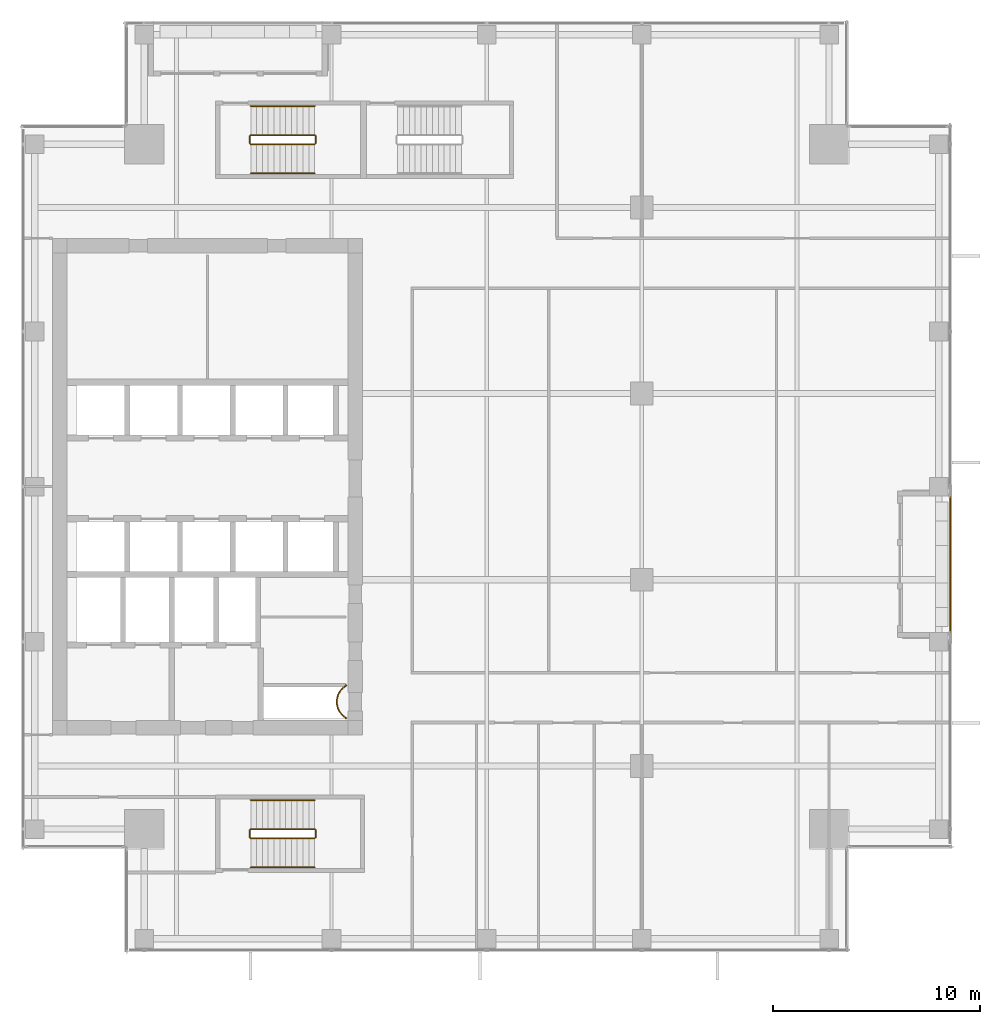
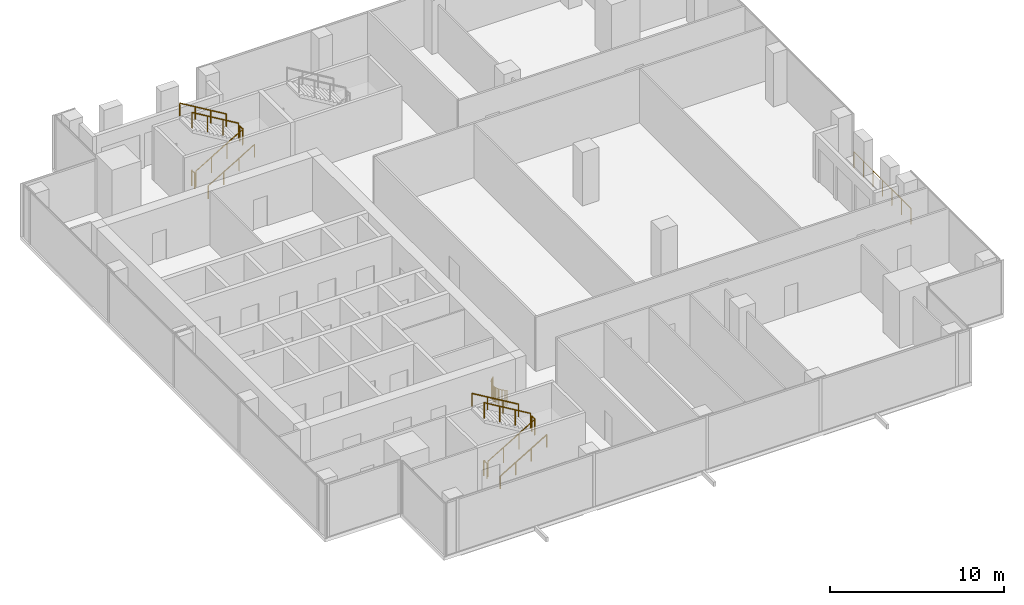
# One storey, part 34 of 36: 14 railings.
"""IFC4 building model written with IfcOpenShell, lengths in metres."""

import ifcopenshell
import ifcopenshell.guid

model = None  # the IFC model being written
_history = None  # IfcOwnerHistory: only IFC2X3 demands one
_inside = {}  # id of a spatial element -> (the spatial element, [elements in it])
_under = {}  # id of a project, library or spatial element -> (it, [spatial elements below it])
_declared = {}  # id of a project -> (the project, [libraries it declares])
_typed = {}  # id of a type object -> (the type object, [elements of that type])
_made_of = {}  # id of a material, layer set ... -> (it, [elements and type objects made of it])


def new_model(schema):
    """Start an empty IFC model of exactly this schema.

    Asked for "IFC4X3", IfcOpenShell would pick the latest addendum, in which some entities
    have other attributes; the version numbers below select the first issue.
    IFC2X3 requires an IfcOwnerHistory on every rooted entity: one is made here for all.
    """
    global model, _history
    if schema == "IFC4X3":
        model = ifcopenshell.file(schema_version=(4, 3, 0, 0))
    else:
        model = ifcopenshell.file(schema=schema)
    _inside.clear()
    _under.clear()
    _declared.clear()
    _typed.clear()
    _made_of.clear()
    _history = None
    if model.schema == "IFC2X3":
        org = make("IfcOrganization", Name="unknown")
        user = make(
            "IfcPersonAndOrganization",
            ThePerson=make("IfcPerson", FamilyName="unknown"),
            TheOrganization=org,
        )
        app = make(
            "IfcApplication",
            ApplicationDeveloper=org,
            Version="unknown",
            ApplicationFullName="unknown",
            ApplicationIdentifier="unknown",
        )
        _history = make(
            "IfcOwnerHistory",
            OwningUser=user,
            OwningApplication=app,
            ChangeAction="ADDED",
            CreationDate=0,
        )
    return model


def make(cls, **values):
    """One entity of the class cls with the attributes given. An attribute that is None is left unset."""
    return model.create_entity(
        cls, **{name: value for name, value in values.items() if value is not None}
    )


def rooted(cls, **values):
    """An entity with a GlobalId (a new one), such as an element, a storey or a relation."""
    return make(cls, GlobalId=ifcopenshell.guid.new(), OwnerHistory=_history, **values)


def si_unit(unit_type, name, prefix=None):
    """IfcSIUnit, for example si_unit("LENGTHUNIT", "METRE", prefix="MILLI")."""
    return make("IfcSIUnit", UnitType=unit_type, Prefix=prefix, Name=name)


def assignment(units):
    """IfcUnitAssignment: the units of a project."""
    return None if units is None else make("IfcUnitAssignment", Units=units)


def point(xyz):
    """IfcCartesianPoint."""
    return None if xyz is None else make("IfcCartesianPoint", Coordinates=xyz)


def direction(xyz):
    """IfcDirection."""
    return None if xyz is None else make("IfcDirection", DirectionRatios=xyz)


def frame(location, z_axis=None, x_axis=None):
    """IfcAxis2Placement3D, a coordinate frame: its origin and axes. An axis left out is left unset."""
    return make(
        "IfcAxis2Placement3D",
        Location=point(location),
        Axis=direction(z_axis),
        RefDirection=direction(x_axis),
    )


def frame_2d(location, x_axis=None):
    """IfcAxis2Placement2D, a coordinate frame in the plane: its origin and x axis."""
    return make(
        "IfcAxis2Placement2D", Location=point(location), RefDirection=direction(x_axis)
    )


def origin():
    """The frame at (0, 0, 0) with its axes left unset."""
    return frame((0.0, 0.0, 0.0))


def origin_2d():
    """The frame at (0, 0) in the plane with its x axis left unset."""
    return frame_2d((0.0, 0.0))


def place(relative_to, where):
    """IfcLocalPlacement: puts the frame where relative to a parent placement (None: the world)."""
    return make(
        "IfcLocalPlacement", PlacementRelTo=relative_to, RelativePlacement=where
    )


def context(
    kind, dimensions, precision=None, world=None, true_north=None, identifier=None
):
    """IfcGeometricRepresentationContext, for example the 3D "Model" context."""
    return make(
        "IfcGeometricRepresentationContext",
        ContextIdentifier=identifier,
        ContextType=kind,
        CoordinateSpaceDimension=dimensions,
        Precision=precision,
        WorldCoordinateSystem=world,
        TrueNorth=true_north,
    )


def subcontext(parent, identifier, kind, view, scale=None):
    """IfcGeometricRepresentationSubContext, for example "Body" below "Model"."""
    return make(
        "IfcGeometricRepresentationSubContext",
        ContextIdentifier=identifier,
        ContextType=kind,
        ParentContext=parent,
        TargetScale=scale,
        TargetView=view,
    )


def project(units=None, contexts=None):
    """IfcProject with its units and contexts."""
    return rooted(
        "IfcProject",
        Name="project",
        RepresentationContexts=contexts,
        UnitsInContext=assignment(units),
    )


def spatial(cls, under=None, at=None, **own):
    """A site, building, storey or space (cls), placed at a placement, below another one or the project."""
    s = rooted(cls, ObjectPlacement=at, **own)
    if under is not None:
        _under.setdefault(under.id(), (under, []))[1].append(s)
    return s


def profile(cls, at=None, kind="AREA", **sizes):
    """A parametric profile (cls). Its sizes go by their IFC names, for example OverallWidth=200.0."""
    return make(cls, ProfileType=kind, Position=at, **sizes)


def circle(**sizes):
    """IfcCircleProfileDef."""
    return profile("IfcCircleProfileDef", **sizes)


def extrude(swept, where, along, depth):
    """IfcExtrudedAreaSolid: the profile swept, set in the frame where, extruded along a direction by depth."""
    return make(
        "IfcExtrudedAreaSolid",
        SweptArea=swept,
        Position=where,
        ExtrudedDirection=direction(along),
        Depth=depth,
    )


def shape(context_of_items, identifier, shape_type, items):
    """IfcShapeRepresentation: the items that make up one representation, for example the "Body"."""
    return make(
        "IfcShapeRepresentation",
        ContextOfItems=context_of_items,
        RepresentationIdentifier=identifier,
        RepresentationType=shape_type,
        Items=items,
    )


def source(mapping_origin, context_of_items, identifier, shape_type, items):
    """IfcRepresentationMap: a shape defined once, which mapped items show again and again."""
    return make(
        "IfcRepresentationMap",
        MappingOrigin=mapping_origin,
        MappedRepresentation=shape(context_of_items, identifier, shape_type, items),
    )


def transform(
    local_origin,
    x_axis=None,
    y_axis=None,
    z_axis=None,
    scale=None,
    scale2=None,
    scale3=None,
    uniform=True,
):
    """IfcCartesianTransformationOperator3D, or its non-uniform kind. x_axis, y_axis, z_axis: its Axis1, 2, 3."""
    if uniform:
        return make(
            "IfcCartesianTransformationOperator3D",
            Axis1=direction(x_axis),
            Axis2=direction(y_axis),
            LocalOrigin=point(local_origin),
            Scale=scale,
            Axis3=direction(z_axis),
        )
    return make(
        "IfcCartesianTransformationOperator3DnonUniform",
        Axis1=direction(x_axis),
        Axis2=direction(y_axis),
        LocalOrigin=point(local_origin),
        Scale=scale,
        Axis3=direction(z_axis),
        Scale2=scale2,
        Scale3=scale3,
    )


def mapped(mapping_source, mapping_target):
    """IfcMappedItem: shows the shape of a source again, moved by a transform."""
    return make(
        "IfcMappedItem", MappingSource=mapping_source, MappingTarget=mapping_target
    )


def material(Name=None, Category=None):
    """IfcMaterial."""
    return make("IfcMaterial", Name=Name, Category=Category)


def made_of(thing, what):
    """Note that an element or type object is made of a material, layer set ...; save() writes the relation."""
    if what is not None:
        _made_of.setdefault(what.id(), (what, []))[1].append(thing)
    return thing


def type_object(cls, material=None, **own):
    """A type object (cls), such as IfcWallType, which elements share."""
    return made_of(rooted(cls, **own), material)


def element(
    cls,
    number,
    at=None,
    inside=None,
    cuts=None,
    type_object=None,
    material=None,
    context=None,
    identifier="Body",
    shape_type=None,
    held_by="IfcProductDefinitionShape",
    body=None,
    shapes=None,
    **own,
):
    """One element of the class cls, such as IfcWall. Its Tag is "e" and its number.

    at: its placement. inside: the storey or other place that contains it. cuts: it is an
    opening in that element (IfcRelVoidsElement). A single representation is given by context,
    identifier, shape_type and body (its items); several are given by shapes. held_by: the class
    of the entity that holds the representations. save() writes the other relations.
    """
    e = rooted(cls, Tag="e%d" % number, ObjectPlacement=at, **own)
    if body is not None:
        shapes = [shape(context, identifier, shape_type, body)]
    if shapes is not None:
        e.Representation = make(held_by, Representations=shapes)
    if inside is not None:
        _inside.setdefault(inside.id(), (inside, []))[1].append(e)
    if cuts is not None:
        rooted(
            "IfcRelVoidsElement", RelatingBuildingElement=cuts, RelatedOpeningElement=e
        )
    if type_object is not None:
        _typed.setdefault(type_object.id(), (type_object, []))[1].append(e)
    return made_of(e, material)


def aggregate(whole, parts):
    """IfcRelAggregates: a whole, such as a stair, and the parts it consists of."""
    return rooted("IfcRelAggregates", RelatingObject=whole, RelatedObjects=parts)


def save(model, path):
    """Write the relations noted so far, then the file.

    IfcRelAggregates (storeys below a building ...), IfcRelContainedInSpatialStructure (elements
    in a storey), IfcRelDefinesByType, IfcRelAssociatesMaterial and IfcRelDeclares: one each for
    every whole, place, type object, material and project.
    """
    for whole, parts in _under.values():
        aggregate(whole, parts)
    for where, things in _inside.values():
        rooted(
            "IfcRelContainedInSpatialStructure",
            RelatedElements=things,
            RelatingStructure=where,
        )
    for kind, things in _typed.values():
        rooted("IfcRelDefinesByType", RelatedObjects=things, RelatingType=kind)
    for what, things in _made_of.values():
        rooted("IfcRelAssociatesMaterial", RelatedObjects=things, RelatingMaterial=what)
    for by, libraries in _declared.values():
        rooted("IfcRelDeclares", RelatingContext=by, RelatedDefinitions=libraries)
    model.write(path)


model = new_model("IFC4")

# Units and contexts
model_context = context("Model", 3, precision=1e-05, world=origin(), true_north=direction((0.0, 1.0)))
body_context = subcontext(model_context, "Body", "Model", "MODEL_VIEW")
ifc_project = project(units=[si_unit("LENGTHUNIT", "METRE"), si_unit("AREAUNIT", "SQUARE_METRE"), si_unit("VOLUMEUNIT", "CUBIC_METRE"), si_unit("PLANEANGLEUNIT", "RADIAN"), si_unit("MASSUNIT", "GRAM", prefix="KILO")], contexts=[model_context])

# Site, building, storey
site_placement = place(None, origin())
site = spatial("IfcSite", under=ifc_project, at=site_placement, CompositionType="ELEMENT")
building_placement = place(site_placement, origin())
building = spatial("IfcBuilding", under=site, at=building_placement, Name="Khomas Fold Tower", CompositionType="ELEMENT")
storey_placement = place(building_placement, frame((0.0, 0.0, 230.199951171875)))
storey = spatial("IfcBuildingStorey", under=building, at=storey_placement, Name="L51", CompositionType="ELEMENT", Elevation=230.199951171875)

# Railings
ifc_material_1 = material(Name="Powder-coated steel", Category="steel")
railing_type_1 = type_object("IfcRailingType", Name="Balcony guard", PredefinedType="GUARDRAIL", material=ifc_material_1)
shared_shape_1 = source(origin(), body_context, "Body", "SweptSolid", [
    extrude(circle(Radius=0.02490234375, at=origin_2d()), frame((0.0, 0.0, 1.125), z_axis=(0.0, 1.0, 0.0), x_axis=(-1.0, 0.0, 0.0)), (0.0, 0.0, 1.0), 6.5400390625),
    extrude(circle(Radius=0.02001953125, at=origin_2d()), origin(), (0.0, 0.0, 1.0), 1.099853515625),
    extrude(circle(Radius=0.02001953125, at=origin_2d()), frame((0.0, 1.090087890625, 0.0)), (0.0, 0.0, 1.0), 1.099853515625),
    extrude(circle(Radius=0.02001953125, at=origin_2d()), frame((0.0, 2.179931640625, 0.0)), (0.0, 0.0, 1.0), 1.099853515625),
    extrude(circle(Radius=0.02001953125, at=origin_2d()), frame((0.0, 3.27001953125, 0.0)), (0.0, 0.0, 1.0), 1.099853515625),
    extrude(circle(Radius=0.02001953125, at=origin_2d()), frame((0.0, 4.360107421875, 0.0)), (0.0, 0.0, 1.0), 1.099853515625),
    extrude(circle(Radius=0.02001953125, at=origin_2d()), frame((0.0, 5.449951171875, 0.0)), (0.0, 0.0, 1.0), 1.099853515625),
    extrude(circle(Radius=0.02001953125, at=origin_2d()), frame((0.0, 6.5400390625, 0.0)), (0.0, 0.0, 1.0), 1.099853515625),
])
railing_1_placement = place(storey_placement, frame((49.39990234375, 19.97998046875, -0.044921875)))
element("IfcRailing", 1, at=railing_1_placement, inside=storey, type_object=railing_type_1, Name="Balcony guard BAL-L51-E2", PredefinedType="GUARDRAIL", context=body_context, shape_type="MappedRepresentation", body=[
    mapped(shared_shape_1, transform((0.0, 0.0, 0.0))),
])
ifc_material_2 = material(Name="Steel balustrade", Category="steel")
railing_type_2 = type_object("IfcRailingType", Name="Stair guard", PredefinedType="GUARDRAIL", material=ifc_material_2)
shared_shape_2 = source(origin(), body_context, "Body", "SweptSolid", [
    extrude(circle(Radius=0.02392578125, at=origin_2d()), frame((0.0, 0.0, 1.076171875), z_axis=(0.0, 1.0, 0.0), x_axis=(-1.0, 0.0, 0.0)), (0.0, 0.0, 1.0), 0.349853515625),
    extrude(circle(Radius=0.02099609375, at=origin_2d()), origin(), (0.0, 0.0, 1.0), 1.052001953125),
    extrude(circle(Radius=0.02099609375, at=origin_2d()), frame((0.0, 0.349853515625, 0.0)), (0.0, 0.0, 1.0), 1.052001953125),
])
for number, where, name in (
    (2, (18.72998046875, 43.60009765625, 2.0), "L51 ST1 stair guard 2"),
    (3, (15.550048828125, 43.60009765625, 0.0), "L51 ST1 stair guard 4"),
    (4, (18.72998046875, 10.050048828125, 2.0), "L51 ST2 stair guard 2"),
    (5, (15.550048828125, 10.050048828125, 0.0), "L51 ST2 stair guard 4"),
):
    element("IfcRailing", number, at=place(storey_placement, frame(where)), inside=storey, type_object=railing_type_2, Name=name, PredefinedType="GUARDRAIL", context=body_context, shape_type="MappedRepresentation", body=[
        mapped(shared_shape_2, transform((0.0, 0.0, 0.0))),
    ])
shared_shape_3 = source(origin(), body_context, "Body", "SweptSolid", [
    extrude(circle(Radius=0.02392578125, at=origin_2d()), frame((0.0, 0.0, 1.076171875), z_axis=(0.859290745958, 0.0, 0.51148745235), x_axis=(0.0, 1.0, 0.0)), (0.0, 0.0, 1.0), 3.584228515625),
    extrude(circle(Radius=0.02099609375, at=origin_2d()), origin(), (0.0, 0.0, 1.0), 1.052001953125),
    extrude(circle(Radius=0.02099609375, at=origin_2d()), frame((1.026611328125, 0.0, 0.611083984375)), (0.0, 0.0, 1.0), 1.052001953125),
    extrude(circle(Radius=0.02099609375, at=origin_2d()), frame((2.05322265625, 0.0, 1.22216796875)), (0.0, 0.0, 1.0), 1.052001953125),
    extrude(circle(Radius=0.02099609375, at=origin_2d()), frame((3.079833984375, 0.0, 1.833251953125)), (0.0, 0.0, 1.0), 1.052001953125),
])
for number, where, name in (
    (6, (15.60009765625, 43.550048828125, 0.166748046875), "L51 ST1 stair guard 1"),
    (7, (15.60009765625, 10.0, 0.166748046875), "L51 ST2 stair guard 1"),
):
    element("IfcRailing", number, at=place(storey_placement, frame(where)), inside=storey, type_object=railing_type_2, Name=name, PredefinedType="GUARDRAIL", context=body_context, shape_type="MappedRepresentation", body=[
        mapped(shared_shape_3, transform((0.0, 0.0, 0.0))),
    ])
shared_shape_4 = source(origin(), body_context, "Body", "SweptSolid", [
    extrude(circle(Radius=0.02392578125, at=origin_2d()), frame((0.0, 0.0, 1.076171875), z_axis=(-0.859290745958, 0.0, 0.51148745235), x_axis=(0.0, -1.0, 0.0)), (0.0, 0.0, 1.0), 3.584228515625),
    extrude(circle(Radius=0.02099609375, at=origin_2d()), origin(), (0.0, 0.0, 1.0), 1.052001953125),
    extrude(circle(Radius=0.02099609375, at=origin_2d()), frame((-1.026611328125, 0.0, 0.611083984375)), (0.0, 0.0, 1.0), 1.052001953125),
    extrude(circle(Radius=0.02099609375, at=origin_2d()), frame((-2.05322265625, 0.0, 1.22216796875)), (0.0, 0.0, 1.0), 1.052001953125),
    extrude(circle(Radius=0.02099609375, at=origin_2d()), frame((-3.079833984375, 0.0, 1.833251953125)), (0.0, 0.0, 1.0), 1.052001953125),
])
for number, where, name in (
    (8, (18.679931640625, 44.0, 2.166748046875), "L51 ST1 stair guard 3"),
    (9, (18.679931640625, 10.449951171875, 2.166748046875), "L51 ST2 stair guard 3"),
):
    element("IfcRailing", number, at=place(storey_placement, frame(where)), inside=storey, type_object=railing_type_2, Name=name, PredefinedType="GUARDRAIL", context=body_context, shape_type="MappedRepresentation", body=[
        mapped(shared_shape_4, transform((0.0, 0.0, 0.0))),
    ])
ifc_material_3 = material(Name="Steel handrail", Category="steel")
railing_type_3 = type_object("IfcRailingType", Name="Stair handrail", PredefinedType="HANDRAIL", material=ifc_material_3)
shared_shape_5 = source(origin(), body_context, "Body", "SweptSolid", [
    extrude(circle(Radius=0.02392578125, at=origin_2d()), frame((0.0, 0.0, 0.8759765625), z_axis=(0.859290745958, 0.0, 0.51148745235), x_axis=(0.0, 1.0, 0.0)), (0.0, 0.0, 1.0), 3.584228515625),
    extrude(circle(Radius=0.02099609375, at=origin_2d()), origin(), (0.0, 0.0, 1.0), 0.851806640625),
    extrude(circle(Radius=0.02099609375, at=origin_2d()), frame((1.026611328125, 0.0, 0.611083984375)), (0.0, 0.0, 1.0), 0.851806640625),
    extrude(circle(Radius=0.02099609375, at=origin_2d()), frame((2.05322265625, 0.0, 1.22216796875)), (0.0, 0.0, 1.0), 0.851806640625),
    extrude(circle(Radius=0.02099609375, at=origin_2d()), frame((3.079833984375, 0.0, 1.833251953125)), (0.0, 0.0, 1.0), 0.851806640625),
])
for number, where, name in (
    (10, (15.60009765625, 42.14990234375, 0.166748046875), "L51 ST1 stair handrail 1"),
    (11, (15.60009765625, 8.60009765625, 0.166748046875), "L51 ST2 stair handrail 1"),
):
    element("IfcRailing", number, at=place(storey_placement, frame(where)), inside=storey, type_object=railing_type_3, Name=name, PredefinedType="HANDRAIL", context=body_context, shape_type="MappedRepresentation", body=[
        mapped(shared_shape_5, transform((0.0, 0.0, 0.0))),
    ])
shared_shape_6 = source(origin(), body_context, "Body", "SweptSolid", [
    extrude(circle(Radius=0.02392578125, at=origin_2d()), frame((0.0, 0.0, 0.8759765625), z_axis=(-0.859290745958, 0.0, 0.51148745235), x_axis=(0.0, -1.0, 0.0)), (0.0, 0.0, 1.0), 3.584228515625),
    extrude(circle(Radius=0.02099609375, at=origin_2d()), origin(), (0.0, 0.0, 1.0), 0.851806640625),
    extrude(circle(Radius=0.02099609375, at=origin_2d()), frame((-1.026611328125, 0.0, 0.611083984375)), (0.0, 0.0, 1.0), 0.851806640625),
    extrude(circle(Radius=0.02099609375, at=origin_2d()), frame((-2.05322265625, 0.0, 1.22216796875)), (0.0, 0.0, 1.0), 0.851806640625),
    extrude(circle(Radius=0.02099609375, at=origin_2d()), frame((-3.079833984375, 0.0, 1.833251953125)), (0.0, 0.0, 1.0), 0.851806640625),
])
for number, where, name in (
    (12, (18.679931640625, 45.39990234375, 2.166748046875), "L51 ST1 stair handrail 2"),
    (13, (18.679931640625, 11.85009765625, 2.166748046875), "L51 ST2 stair handrail 2"),
):
    element("IfcRailing", number, at=place(storey_placement, frame(where)), inside=storey, type_object=railing_type_3, Name=name, PredefinedType="HANDRAIL", context=body_context, shape_type="MappedRepresentation", body=[
        mapped(shared_shape_6, transform((0.0, 0.0, 0.0))),
    ])
ifc_material_4 = material(Name="Steel balustrade", Category="steel")
railing_type_4 = type_object("IfcRailingType", Name="Shaft guard", PredefinedType="GUARDRAIL", material=ifc_material_4)
shared_shape_7 = source(origin(), body_context, "Body", "SweptSolid", [
    extrude(circle(Radius=0.02490234375, at=origin_2d()), frame((0.0, 0.0, 1.0751953125), z_axis=(1.0, 0.0, 0.0), x_axis=(0.0, 1.0, 0.0)), (0.0, 0.0, 1.0), 0.02197265625),
    extrude(circle(Radius=0.02490234375, at=origin_2d()), frame((0.02197265625, 0.0, 1.0751953125), z_axis=(0.0, -1.0, 0.0), x_axis=(1.0, 0.0, 0.0)), (0.0, 0.0, 1.0), 0.021484375),
    extrude(circle(Radius=0.02490234375, at=origin_2d()), frame((0.02197265625, -0.021484375, 1.0751953125), z_axis=(-0.857492925713, -0.514495755428, 0.0), x_axis=(0.514495755428, -0.857492925713, 0.0)), (0.0, 0.0, 1.0), 0.058349609375),
    extrude(circle(Radius=0.02490234375, at=origin_2d()), frame((-0.028076171875, -0.051513671875, 1.0751953125), z_axis=(-0.801986734315, -0.597341843489, 0.0), x_axis=(0.597341843489, -0.801986734315, 0.0)), (0.0, 0.0, 1.0), 0.08837890625),
    extrude(circle(Radius=0.02490234375, at=origin_2d()), frame((-0.098876953125, -0.104248046875, 1.0751953125), z_axis=(-0.740814996175, -0.671709119666, 0.0), x_axis=(0.671709119666, -0.740814996175, 0.0)), (0.0, 0.0, 1.0), 0.08837890625),
    extrude(circle(Radius=0.02490234375, at=origin_2d()), frame((-0.164306640625, -0.16357421875, 1.0751953125), z_axis=(-0.671709119666, -0.740814996175, 0.0), x_axis=(0.740814996175, -0.671709119666, 0.0)), (0.0, 0.0, 1.0), 0.08837890625),
    extrude(circle(Radius=0.02490234375, at=origin_2d()), frame((-0.2236328125, -0.22900390625, 1.0751953125), z_axis=(-0.597341843489, -0.801986734315, 0.0), x_axis=(0.801986734315, -0.597341843489, 0.0)), (0.0, 0.0, 1.0), 0.08837890625),
    extrude(circle(Radius=0.02490234375, at=origin_2d()), frame((-0.2763671875, -0.2998046875, 1.0751953125), z_axis=(-0.514495755428, -0.857492925713, 0.0), x_axis=(0.857492925713, -0.514495755428, 0.0)), (0.0, 0.0, 1.0), 0.08837890625),
    extrude(circle(Radius=0.02490234375, at=origin_2d()), frame((-0.32177734375, -0.37548828125, 1.0751953125), z_axis=(-0.424999439989, -0.905193612444, 0.0), x_axis=(0.905193612444, -0.424999439989, 0.0)), (0.0, 0.0, 1.0), 0.08837890625),
    extrude(circle(Radius=0.02490234375, at=origin_2d()), frame((-0.359375, -0.45556640625, 1.0751953125), z_axis=(-0.337738989679, -0.941239807302, 0.0), x_axis=(0.941239807302, -0.337738989679, 0.0)), (0.0, 0.0, 1.0), 0.088134765625),
    extrude(circle(Radius=0.02490234375, at=origin_2d()), frame((-0.38916015625, -0.53857421875, 1.0751953125), z_axis=(-0.243185799972, -0.969979724887, 0.0), x_axis=(0.969979724887, -0.243185799972, 0.0)), (0.0, 0.0, 1.0), 0.08837890625),
    extrude(circle(Radius=0.02490234375, at=origin_2d()), frame((-0.41064453125, -0.624267578125, 1.0751953125), z_axis=(-0.146448518259, -0.989218293148, 0.0), x_axis=(0.989218293148, -0.146448518259, 0.0)), (0.0, 0.0, 1.0), 0.08837890625),
    extrude(circle(Radius=0.02490234375, at=origin_2d()), frame((-0.423583984375, -0.711669921875, 1.0751953125), z_axis=(-0.049799629132, -0.998759228712, 0.0), x_axis=(0.998759228712, -0.049799629132, 0.0)), (0.0, 0.0, 1.0), 0.088134765625),
    extrude(circle(Radius=0.02490234375, at=origin_2d()), frame((-0.427978515625, -0.7998046875, 1.0751953125), z_axis=(0.049662400856, -0.998766061669, 0.0), x_axis=(0.998766061669, 0.049662400856, 0.0)), (0.0, 0.0, 1.0), 0.08837890625),
    extrude(circle(Radius=0.02490234375, at=origin_2d()), frame((-0.423583984375, -0.88818359375, 1.0751953125), z_axis=(0.146448518259, -0.989218293148, 0.0), x_axis=(0.989218293148, 0.146448518259, 0.0)), (0.0, 0.0, 1.0), 0.08837890625),
    extrude(circle(Radius=0.02490234375, at=origin_2d()), frame((-0.41064453125, -0.9755859375, 1.0751953125), z_axis=(0.243185799972, -0.969979724887, 0.0), x_axis=(0.969979724887, 0.243185799972, 0.0)), (0.0, 0.0, 1.0), 0.08837890625),
    extrude(circle(Radius=0.02490234375, at=origin_2d()), frame((-0.38916015625, -1.061279296875, 1.0751953125), z_axis=(0.337738989679, -0.941239807302, 0.0), x_axis=(0.941239807302, 0.337738989679, 0.0)), (0.0, 0.0, 1.0), 0.088134765625),
    extrude(circle(Radius=0.02490234375, at=origin_2d()), frame((-0.359375, -1.144287109375, 1.0751953125), z_axis=(0.426063493689, -0.904693262573, 0.0), x_axis=(0.904693262573, 0.426063493689, 0.0)), (0.0, 0.0, 1.0), 0.088134765625),
    extrude(circle(Radius=0.02490234375, at=origin_2d()), frame((-0.32177734375, -1.22412109375, 1.0751953125), z_axis=(0.514495755428, -0.857492925713, 0.0), x_axis=(0.857492925713, 0.514495755428, 0.0)), (0.0, 0.0, 1.0), 0.08837890625),
    extrude(circle(Radius=0.02490234375, at=origin_2d()), frame((-0.2763671875, -1.2998046875, 1.0751953125), z_axis=(0.596019138224, -0.802970227885, 0.0), x_axis=(0.802970227885, 0.596019138224, 0.0)), (0.0, 0.0, 1.0), 0.08837890625),
    extrude(circle(Radius=0.02490234375, at=origin_2d()), frame((-0.2236328125, -1.370849609375, 1.0751953125), z_axis=(0.671709119666, -0.740814996175, 0.0), x_axis=(0.740814996175, 0.671709119666, 0.0)), (0.0, 0.0, 1.0), 0.08837890625),
    extrude(circle(Radius=0.02490234375, at=origin_2d()), frame((-0.164306640625, -1.436279296875, 1.0751953125), z_axis=(0.740814996175, -0.671709119666, 0.0), x_axis=(0.671709119666, 0.740814996175, 0.0)), (0.0, 0.0, 1.0), 0.08837890625),
    extrude(circle(Radius=0.02490234375, at=origin_2d()), frame((-0.098876953125, -1.49560546875, 1.0751953125), z_axis=(0.803311771616, -0.595558727233, 0.0), x_axis=(0.595558727233, 0.803311771616, 0.0)), (0.0, 0.0, 1.0), 0.088134765625),
    extrude(circle(Radius=0.02490234375, at=origin_2d()), frame((-0.028076171875, -1.548095703125, 1.0751953125), z_axis=(0.857492925713, -0.514495755428, 0.0), x_axis=(0.514495755428, 0.857492925713, 0.0)), (0.0, 0.0, 1.0), 0.058349609375),
    extrude(circle(Radius=0.02490234375, at=origin_2d()), frame((0.02197265625, -1.578125, 1.0751953125), z_axis=(0.0, -1.0, 0.0), x_axis=(1.0, 0.0, 0.0)), (0.0, 0.0, 1.0), 0.021728515625),
    extrude(circle(Radius=0.02490234375, at=origin_2d()), frame((0.02197265625, -1.599853515625, 1.0751953125), z_axis=(-1.0, 0.0, 0.0), x_axis=(0.0, -1.0, 0.0)), (0.0, 0.0, 1.0), 0.02197265625),
    extrude(circle(Radius=0.02001953125, at=origin_2d()), origin(), (0.0, 0.0, 1.0), 1.050048828125),
    extrude(circle(Radius=0.02001953125, at=origin_2d()), frame((0.02197265625, 0.0, 0.0)), (0.0, 0.0, 1.0), 1.050048828125),
    extrude(circle(Radius=0.02001953125, at=origin_2d()), frame((0.02197265625, -0.021484375, 0.0)), (0.0, 0.0, 1.0), 1.050048828125),
    extrude(circle(Radius=0.02001953125, at=origin_2d()), frame((-0.028076171875, -0.051513671875, 0.0)), (0.0, 0.0, 1.0), 1.050048828125),
    extrude(circle(Radius=0.02001953125, at=origin_2d()), frame((-0.098876953125, -0.104248046875, 0.0)), (0.0, 0.0, 1.0), 1.050048828125),
    extrude(circle(Radius=0.02001953125, at=origin_2d()), frame((-0.164306640625, -0.16357421875, 0.0)), (0.0, 0.0, 1.0), 1.050048828125),
    extrude(circle(Radius=0.02001953125, at=origin_2d()), frame((-0.2236328125, -0.22900390625, 0.0)), (0.0, 0.0, 1.0), 1.050048828125),
    extrude(circle(Radius=0.02001953125, at=origin_2d()), frame((-0.2763671875, -0.2998046875, 0.0)), (0.0, 0.0, 1.0), 1.050048828125),
    extrude(circle(Radius=0.02001953125, at=origin_2d()), frame((-0.32177734375, -0.37548828125, 0.0)), (0.0, 0.0, 1.0), 1.050048828125),
    extrude(circle(Radius=0.02001953125, at=origin_2d()), frame((-0.359375, -0.45556640625, 0.0)), (0.0, 0.0, 1.0), 1.050048828125),
    extrude(circle(Radius=0.02001953125, at=origin_2d()), frame((-0.38916015625, -0.53857421875, 0.0)), (0.0, 0.0, 1.0), 1.050048828125),
    extrude(circle(Radius=0.02001953125, at=origin_2d()), frame((-0.41064453125, -0.624267578125, 0.0)), (0.0, 0.0, 1.0), 1.050048828125),
    extrude(circle(Radius=0.02001953125, at=origin_2d()), frame((-0.423583984375, -0.711669921875, 0.0)), (0.0, 0.0, 1.0), 1.050048828125),
    extrude(circle(Radius=0.02001953125, at=origin_2d()), frame((-0.427978515625, -0.7998046875, 0.0)), (0.0, 0.0, 1.0), 1.050048828125),
    extrude(circle(Radius=0.02001953125, at=origin_2d()), frame((-0.423583984375, -0.88818359375, 0.0)), (0.0, 0.0, 1.0), 1.050048828125),
    extrude(circle(Radius=0.02001953125, at=origin_2d()), frame((-0.41064453125, -0.9755859375, 0.0)), (0.0, 0.0, 1.0), 1.050048828125),
    extrude(circle(Radius=0.02001953125, at=origin_2d()), frame((-0.38916015625, -1.061279296875, 0.0)), (0.0, 0.0, 1.0), 1.050048828125),
    extrude(circle(Radius=0.02001953125, at=origin_2d()), frame((-0.359375, -1.144287109375, 0.0)), (0.0, 0.0, 1.0), 1.050048828125),
    extrude(circle(Radius=0.02001953125, at=origin_2d()), frame((-0.32177734375, -1.22412109375, 0.0)), (0.0, 0.0, 1.0), 1.050048828125),
    extrude(circle(Radius=0.02001953125, at=origin_2d()), frame((-0.2763671875, -1.2998046875, 0.0)), (0.0, 0.0, 1.0), 1.050048828125),
    extrude(circle(Radius=0.02001953125, at=origin_2d()), frame((-0.2236328125, -1.370849609375, 0.0)), (0.0, 0.0, 1.0), 1.050048828125),
    extrude(circle(Radius=0.02001953125, at=origin_2d()), frame((-0.164306640625, -1.436279296875, 0.0)), (0.0, 0.0, 1.0), 1.050048828125),
    extrude(circle(Radius=0.02001953125, at=origin_2d()), frame((-0.098876953125, -1.49560546875, 0.0)), (0.0, 0.0, 1.0), 1.050048828125),
    extrude(circle(Radius=0.02001953125, at=origin_2d()), frame((-0.028076171875, -1.548095703125, 0.0)), (0.0, 0.0, 1.0), 1.050048828125),
    extrude(circle(Radius=0.02001953125, at=origin_2d()), frame((0.02197265625, -1.578125, 0.0)), (0.0, 0.0, 1.0), 1.050048828125),
    extrude(circle(Radius=0.02001953125, at=origin_2d()), frame((0.02197265625, -1.599853515625, 0.0)), (0.0, 0.0, 1.0), 1.050048828125),
    extrude(circle(Radius=0.02001953125, at=origin_2d()), frame((0.0, -1.599853515625, 0.0)), (0.0, 0.0, 1.0), 1.050048828125),
])
railing_2_placement = place(storey_placement, frame((20.177978515625, 17.39990234375, 0.0)))
element("IfcRailing", 14, at=railing_2_placement, inside=storey, type_object=railing_type_4, Name="Shaft guard L51 1", PredefinedType="GUARDRAIL", context=body_context, shape_type="MappedRepresentation", body=[
    mapped(shared_shape_7, transform((0.0, 0.0, 0.0))),
])

save(model, "model.ifc")
